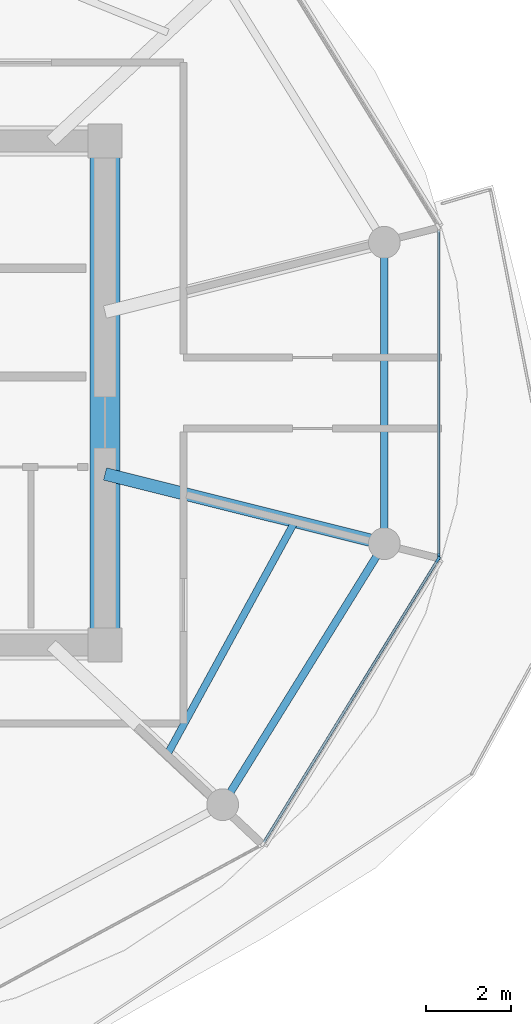
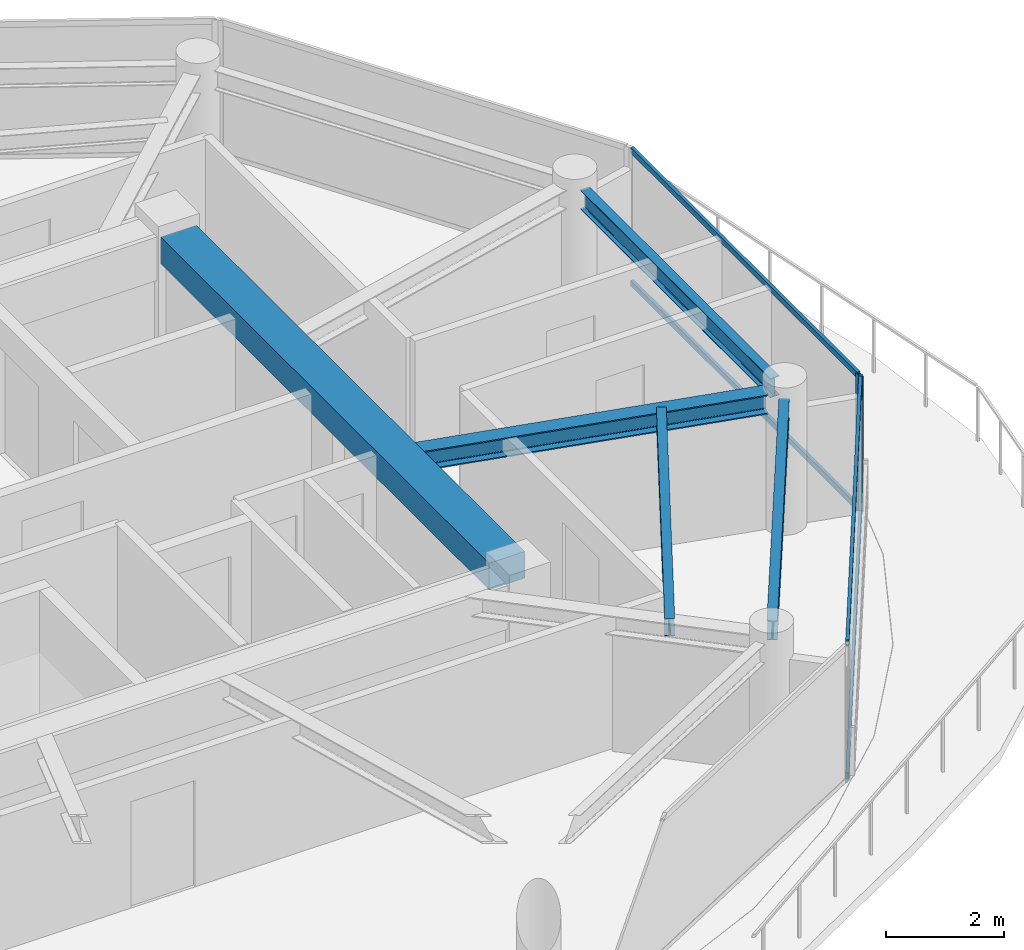
# One storey, part 3 of 19: 6 members, 5 beams, 2 elements without a shape of their own.
"""IFC4 building model written with IfcOpenShell, lengths in metres."""

from ifc_helpers import new_model, si_unit, direction, frame, origin, origin_2d, place, context, subcontext, project, spatial, rectangle, i_section, extrude, source, transform, mapped, material, layer, layer_set, material_profile, profile_set, type_object, type_shapes, element, aggregate, save


model = new_model("IFC4")

# Units and contexts
model_context = context("Model", 3, precision=1e-05, world=origin(), true_north=direction((0.0, 1.0)))
body_context = subcontext(model_context, "Body", "Model", "MODEL_VIEW")
ifc_project = project(units=[si_unit("LENGTHUNIT", "METRE"), si_unit("AREAUNIT", "SQUARE_METRE"), si_unit("VOLUMEUNIT", "CUBIC_METRE"), si_unit("PLANEANGLEUNIT", "RADIAN"), si_unit("MASSUNIT", "GRAM", prefix="KILO")], contexts=[model_context])

# Site, building, storey
site_placement = place(None, origin())
site = spatial("IfcSite", under=ifc_project, at=site_placement, CompositionType="ELEMENT")
building_placement = place(site_placement, origin())
building = spatial("IfcBuilding", under=site, at=building_placement, Name="Norrkilde Senior Care Towers", CompositionType="ELEMENT")
storey_placement = place(building_placement, frame((0.0, 0.0, 238.300048828125)))
storey = spatial("IfcBuildingStorey", under=building, at=storey_placement, Name="L74", CompositionType="ELEMENT", Elevation=238.300048828125)

# Beams
ifc_material_1 = material(Name="Concrete C60/75", Category="concrete")
ifc_material_profile_1 = material_profile(ifc_material_1, rectangle(XDim=0.699951171875, YDim=0.550048828125, at=origin_2d()), Name="RC BM 700x550")
ifc_profile_set_1 = profile_set([ifc_material_profile_1], Name="Concrete C60/75")
beam_type_1 = type_object("IfcBeamType", Name="Core Portal Coupling Beam 700x550", PredefinedType="USERDEFINED", material=ifc_profile_set_1)
shared_shape_1 = source(origin(), body_context, "Body", "SweptSolid", [
    extrude(rectangle(XDim=0.699951171875, YDim=0.550048828125, at=origin_2d()), origin(), (0.0, 0.0, 1.0), 11.14013671875),
])
type_shapes(beam_type_1, [shared_shape_1])
beam_1_placement = place(storey_placement, frame((-20.35009765625, -5.570068359375, 2.534912109375), z_axis=(0.0, 1.0, 0.0), x_axis=(-1.0, 0.0, 0.0)))
element("IfcBeam", 1, at=beam_1_placement, inside=storey, type_object=beam_type_1, Name="L74 Core W E Coupling Girder", ObjectType="GIRDER", PredefinedType="USERDEFINED", context=body_context, shape_type="MappedRepresentation", body=[
    mapped(shared_shape_1, transform((0.0, 0.0, 0.0), x_axis=(1.0, 0.0, 0.0), y_axis=(0.0, 1.0, 0.0), z_axis=(0.0, 0.0, 1.0), scale=1.0)),
])
ifc_material_2 = material(Name="Steel S355", Category="steel")
ifc_material_profile_2 = material_profile(ifc_material_2, i_section(OverallWidth=0.179931640625, OverallDepth=0.39990234375, WebThickness=0.008544921875, FlangeThickness=0.013427734375, FilletRadius=0.02099609375, at=origin_2d()), Name="IPE 400")
ifc_profile_set_2 = profile_set([ifc_material_profile_2], Name="Steel S355")
beam_type_2 = type_object("IfcBeamType", Name="Perimeter Ring Spandrel Z4 IPE400", PredefinedType="SPANDREL", material=ifc_profile_set_2)
shared_shape_2 = source(origin(), body_context, "Body", "SweptSolid", [
    extrude(i_section(OverallWidth=0.179931640625, OverallDepth=0.39990234375, WebThickness=0.008544921875, FlangeThickness=0.013427734375, FilletRadius=0.02099609375, at=origin_2d()), origin(), (0.0, 0.0, 1.0), 6.58056640625),
])
beam_2_placement = place(storey_placement, frame((-17.393798828125, -9.43798828125, 2.60986328125), z_axis=(0.526529583789, 0.850156807533, 0.0), x_axis=(-0.850156807533, 0.526529583789, 0.0)))
element("IfcBeam", 2, at=beam_2_placement, inside=storey, type_object=beam_type_2, Name="L74 Drum W Perimeter Spandrel 11", PredefinedType="SPANDREL", context=body_context, shape_type="MappedRepresentation", body=[
    mapped(shared_shape_2, transform((0.0, 0.0, 0.0), x_axis=(1.0, 0.0, 0.0), y_axis=(0.0, 1.0, 0.0), z_axis=(0.0, 0.0, 1.0), scale=1.0)),
])
ifc_material_profile_3 = material_profile(ifc_material_2, i_section(OverallWidth=0.300048828125, OverallDepth=0.39990234375, WebThickness=0.013427734375, FlangeThickness=0.02392578125, FilletRadius=0.027099609375, at=origin_2d()), Name="HEB 400")
ifc_profile_set_3 = profile_set([ifc_material_profile_3], Name="Steel S355")
beam_type_3 = type_object("IfcBeamType", Name="Radial Floor Beam Z4 HEB400", PredefinedType="BEAM", material=ifc_profile_set_3)
shared_shape_3 = source(origin(), body_context, "Body", "SweptSolid", [
    extrude(i_section(OverallWidth=0.300048828125, OverallDepth=0.39990234375, WebThickness=0.013427734375, FlangeThickness=0.02392578125, FilletRadius=0.027099609375, at=origin_2d()), origin(), (0.0, 0.0, 1.0), 6.465087890625),
])
type_shapes(beam_type_3, [shared_shape_3])
beam_3_placement = place(storey_placement, frame((-20.35009765625, -1.910888671875, 2.60986328125), z_axis=(0.970195788563, -0.242322371758, 0.0), x_axis=(0.242322371758, 0.970195788563, 0.0)))
element("IfcBeam", 3, at=beam_3_placement, inside=storey, type_object=beam_type_3, Name="L74 Drum W Radial Floor Beam 12", PredefinedType="BEAM", context=body_context, shape_type="MappedRepresentation", body=[
    mapped(shared_shape_3, transform((0.0, 0.0, 0.0), x_axis=(1.0, 0.0, 0.0), y_axis=(0.0, 1.0, 0.0), z_axis=(0.0, 0.0, 1.0), scale=1.0)),
])
shared_shape_4 = source(origin(), body_context, "Body", "SweptSolid", [
    extrude(i_section(OverallWidth=0.179931640625, OverallDepth=0.39990234375, WebThickness=0.008544921875, FlangeThickness=0.013427734375, FilletRadius=0.02099609375, at=origin_2d()), origin(), (0.0, 0.0, 1.0), 6.44775390625),
])
type_shapes(beam_type_2, [shared_shape_2, shared_shape_4])
beam_4_placement = place(storey_placement, frame((-13.752685546875, -3.223876953125, 2.60986328125), z_axis=(0.0, 1.0, 0.0), x_axis=(-1.0, 0.0, 0.0)))
element("IfcBeam", 4, at=beam_4_placement, inside=storey, type_object=beam_type_2, Name="L74 Drum W Perimeter Spandrel 12", PredefinedType="SPANDREL", context=body_context, shape_type="MappedRepresentation", body=[
    mapped(shared_shape_4, transform((0.0, 0.0, 0.0), x_axis=(1.0, 0.0, 0.0), y_axis=(0.0, 1.0, 0.0), z_axis=(0.0, 0.0, 1.0), scale=1.0)),
])
ifc_material_profile_4 = material_profile(ifc_material_2, i_section(OverallWidth=0.169921875, OverallDepth=0.360107421875, WebThickness=0.008056640625, FlangeThickness=0.0126953125, FilletRadius=0.01806640625, at=origin_2d()), Name="IPE 360")
ifc_profile_set_4 = profile_set([ifc_material_profile_4], Name="Steel S355")
beam_type_4 = type_object("IfcBeamType", Name="Secondary Floor Joist IPE360", PredefinedType="JOIST", material=ifc_profile_set_4)
shared_shape_5 = source(origin(), body_context, "Body", "SweptSolid", [
    extrude(i_section(OverallWidth=0.169921875, OverallDepth=0.360107421875, WebThickness=0.008056640625, FlangeThickness=0.0126953125, FilletRadius=0.01806640625, at=origin_2d()), origin(), (0.0, 0.0, 1.0), 6.25146484375),
])
type_shapes(beam_type_4, [shared_shape_5])
beam_5_placement = place(storey_placement, frame((-18.865234375, -8.515380859375, 2.6298828125), z_axis=(0.480115752653, 0.877205143655, 0.0), x_axis=(-0.877205143655, 0.480115752653, 0.0)))
element("IfcBeam", 5, at=beam_5_placement, inside=storey, type_object=beam_type_4, Name="L74 Drum W Secondary Floor Joist 4", PredefinedType="JOIST", context=body_context, shape_type="MappedRepresentation", body=[
    mapped(shared_shape_5, transform((0.0, 0.0, 0.0), x_axis=(1.0, 0.0, 0.0), y_axis=(0.0, 1.0, 0.0), z_axis=(0.0, 0.0, 1.0), scale=1.0)),
])

# Curtain wall, member
ifc_material_3 = material(Name="Triple Low-E Insulated Glazing", Category="glass")
ifc_layer = layer(ifc_material_3, 0.18505859375)
ifc_layer_set = layer_set([ifc_layer], Name="Triple Low-E Insulated Glazing")
curtain_wall_type = type_object("IfcCurtainWallType", Name="CW6 Zone 4 Crown Pavilion Curtain Wall", PredefinedType="NOTDEFINED", material=ifc_layer_set)
curtain_wall_1_placement = place(storey_placement, origin())
curtain_wall_1 = element("IfcCurtainWall", 6, at=curtain_wall_1_placement, inside=storey, type_object=curtain_wall_type, Name="L74 Drum W Curtain Wall 10", PredefinedType="NOTDEFINED")
ifc_material_4 = material(Name="Anodised Aluminium", Category="aluminium")
ifc_material_profile_5 = material_profile(ifc_material_4, rectangle(XDim=0.06494140625, YDim=0.14990234375, at=origin_2d()), Name="ALU MULL 65x150")
ifc_profile_set_5 = profile_set([ifc_material_profile_5], Name="Anodised Aluminium")
member_type_1 = type_object("IfcMemberType", Name="Curtain Wall Mullion Z3-Z4 65x150", PredefinedType="MULLION", material=ifc_profile_set_5)
shared_shape_6 = source(origin(), body_context, "Body", "SweptSolid", [
    extrude(rectangle(XDim=0.06494140625, YDim=0.14990234375, at=origin_2d()), origin(), (0.0, 0.0, 1.0), 2.81005859375),
])
type_shapes(member_type_1, [shared_shape_6])
member_1_placement = place(storey_placement, frame((-12.48486328125, -3.9306640625, 0.0), z_axis=(0.0, 0.0, 1.0), x_axis=(0.851562727283, -0.524252726748, 0.0)))
member_1 = element("IfcMember", 7, at=member_1_placement, type_object=member_type_1, Name="CW-6 mullion 1", PredefinedType="MULLION", context=body_context, shape_type="MappedRepresentation", body=[
    mapped(shared_shape_6, transform((0.0, 0.0, 0.0), x_axis=(1.0, 0.0, 0.0), y_axis=(0.0, 1.0, 0.0), z_axis=(0.0, 0.0, 1.0), scale=1.0)),
])

curtain_wall_2_placement = place(storey_placement, origin())
curtain_wall_2 = element("IfcCurtainWall", 8, at=curtain_wall_2_placement, inside=storey, type_object=curtain_wall_type, Name="L74 Drum W Curtain Wall 11", PredefinedType="NOTDEFINED")
member_2_placement = place(storey_placement, frame((-12.468017578125, -3.87060546875, 0.0), z_axis=(0.0, 0.0, 1.0), x_axis=(1.0, 0.0, 0.0)))
member_2 = element("IfcMember", 9, at=member_2_placement, type_object=member_type_1, Name="CW-6 mullion 2", PredefinedType="MULLION", context=body_context, shape_type="MappedRepresentation", body=[
    mapped(shared_shape_6, transform((0.0, 0.0, 0.0), x_axis=(1.0, 0.0, 0.0), y_axis=(0.0, 1.0, 0.0), z_axis=(0.0, 0.0, 1.0), scale=1.0)),
])

# Member
ifc_material_profile_6 = material_profile(ifc_material_4, rectangle(XDim=0.06005859375, YDim=0.1201171875, at=origin_2d()), Name="ALU TRAN 60x120")
ifc_profile_set_6 = profile_set([ifc_material_profile_6], Name="Anodised Aluminium")
member_type_2 = type_object("IfcMemberType", Name="Curtain Wall Transom Typical 60x120", PredefinedType="USERDEFINED", material=ifc_profile_set_6)
shared_shape_7 = source(origin(), body_context, "Body", "SweptSolid", [
    extrude(rectangle(XDim=0.06005859375, YDim=0.1201171875, at=origin_2d()), origin(), (0.0, 0.0, 1.0), 7.808837890625),
])
member_3_placement = place(storey_placement, frame((-12.501953125, -3.958251953125, 0.030029296875), z_axis=(-0.524250924101, -0.851563837055, 0.0), x_axis=(0.851563837055, -0.524250924101, 0.0)))
member_3 = element("IfcMember", 10, at=member_3_placement, type_object=member_type_2, Name="CW-6 transom 1.1", ObjectType="TRANSOM", PredefinedType="USERDEFINED", context=body_context, shape_type="MappedRepresentation", body=[
    mapped(shared_shape_7, transform((0.0, 0.0, 0.0), x_axis=(1.0, 0.0, 0.0), y_axis=(0.0, 1.0, 0.0), z_axis=(0.0, 0.0, 1.0), scale=1.0)),
])

member_4_placement = place(storey_placement, frame((-12.501953125, -3.958251953125, 2.780029296875), z_axis=(-0.524250924101, -0.851563837055, 0.0), x_axis=(0.851563837055, -0.524250924101, 0.0)))
member_4 = element("IfcMember", 11, at=member_4_placement, type_object=member_type_2, Name="CW-6 transom 1.2", ObjectType="TRANSOM", PredefinedType="USERDEFINED", context=body_context, shape_type="MappedRepresentation", body=[
    mapped(shared_shape_7, transform((0.0, 0.0, 0.0), x_axis=(1.0, 0.0, 0.0), y_axis=(0.0, 1.0, 0.0), z_axis=(0.0, 0.0, 1.0), scale=1.0)),
])

aggregate(curtain_wall_1, [member_1, member_3, member_4])

shared_shape_8 = source(origin(), body_context, "Body", "SweptSolid", [
    extrude(rectangle(XDim=0.06005859375, YDim=0.1201171875, at=origin_2d()), origin(), (0.0, 0.0, 1.0), 7.67578125),
])
type_shapes(member_type_2, [shared_shape_7, shared_shape_8])
member_5_placement = place(storey_placement, frame((-12.468017578125, 3.837890625, 0.030029296875), z_axis=(0.0, -1.0, 0.0), x_axis=(1.0, 0.0, 0.0)))
member_5 = element("IfcMember", 12, at=member_5_placement, type_object=member_type_2, Name="CW-6 transom 1.1", ObjectType="TRANSOM", PredefinedType="USERDEFINED", context=body_context, shape_type="MappedRepresentation", body=[
    mapped(shared_shape_8, transform((0.0, 0.0, 0.0), x_axis=(1.0, 0.0, 0.0), y_axis=(0.0, 1.0, 0.0), z_axis=(0.0, 0.0, 1.0), scale=1.0)),
])

member_6_placement = place(storey_placement, frame((-12.468017578125, 3.837890625, 2.780029296875), z_axis=(0.0, -1.0, 0.0), x_axis=(1.0, 0.0, 0.0)))
member_6 = element("IfcMember", 13, at=member_6_placement, type_object=member_type_2, Name="CW-6 transom 1.2", ObjectType="TRANSOM", PredefinedType="USERDEFINED", context=body_context, shape_type="MappedRepresentation", body=[
    mapped(shared_shape_8, transform((0.0, 0.0, 0.0), x_axis=(1.0, 0.0, 0.0), y_axis=(0.0, 1.0, 0.0), z_axis=(0.0, 0.0, 1.0), scale=1.0)),
])

aggregate(curtain_wall_2, [member_2, member_5, member_6])

save(model, "model.ifc")
